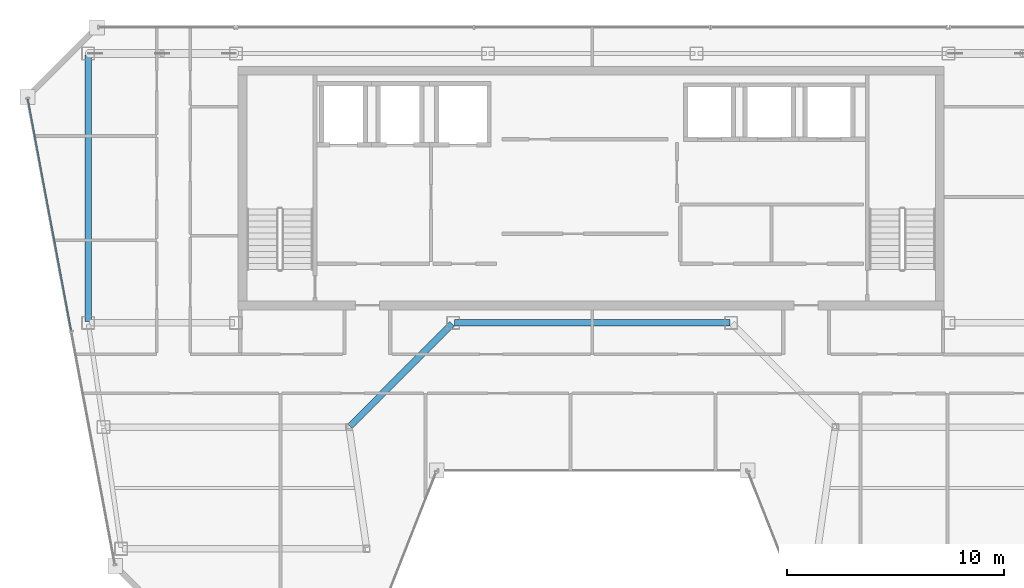
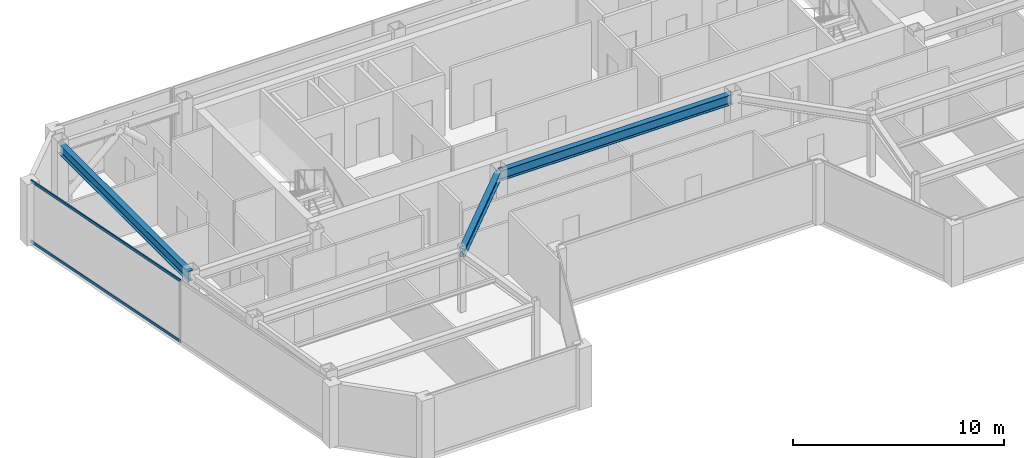
# One storey, part 7 of 23: 3 beams, 2 members, 1 element without a shape of its own.
"""IFC4 building model written with IfcOpenShell, lengths in metres."""

from ifc_helpers import new_model, si_unit, direction, frame, origin, origin_2d, place, context, subcontext, project, spatial, hollow_rectangle, i_section, extrude, material, material_profile, profile_set, type_object, element, aggregate, save


model = new_model("IFC4")

# Units and contexts
model_context = context("Model", 3, precision=1e-05, world=origin(), true_north=direction((0.0, 1.0)))
body_context = subcontext(model_context, "Body", "Model", "MODEL_VIEW")
ifc_project = project(units=[si_unit("LENGTHUNIT", "METRE"), si_unit("AREAUNIT", "SQUARE_METRE"), si_unit("VOLUMEUNIT", "CUBIC_METRE"), si_unit("PLANEANGLEUNIT", "RADIAN"), si_unit("MASSUNIT", "GRAM", prefix="KILO")], contexts=[model_context])

# Site, building, storey
site_placement = place(None, origin())
site = spatial("IfcSite", under=ifc_project, at=site_placement, CompositionType="ELEMENT")
building_placement = place(site_placement, origin())
building = spatial("IfcBuilding", under=site, at=building_placement, Name="Saevonmaru Cultural Tower", CompositionType="ELEMENT")
storey_placement = place(building_placement, frame((0.0, 0.0, 280.0)))
storey = spatial("IfcBuildingStorey", under=building, at=storey_placement, Name="L66", CompositionType="ELEMENT", Elevation=280.0)

# Beams
ifc_material_1 = material(Name="Steel SM355", Category="steel")
ifc_material_profile_1 = material_profile(ifc_material_1, i_section(OverallWidth=0.300048828125, OverallDepth=0.488037109375, WebThickness=0.010986328125, FlangeThickness=0.01806640625, FilletRadius=0.02197265625, at=origin_2d()), Name="H-488x300x11x18")
ifc_profile_set_1 = profile_set([ifc_material_profile_1], Name="Steel SM355")
beam_type_1 = type_object("IfcBeamType", Name="BM-G-H488", PredefinedType="BEAM", material=ifc_profile_set_1)
beam_1_placement = place(storey_placement, frame((18.850341796875, 37.642578125, 3.305908203125), z_axis=(0.706538566564, 0.707674539572, 0.0), x_axis=(-0.707674539572, 0.706538566564, 0.0)))
element("IfcBeam", 1, at=beam_1_placement, inside=storey, type_object=beam_type_1, Name="L66 West Atrium Girder 2", PredefinedType="BEAM", context=body_context, shape_type="SweptSolid", body=[
    extrude(i_section(OverallWidth=0.300048828125, OverallDepth=0.488037109375, WebThickness=0.010986328125, FlangeThickness=0.01806640625, FilletRadius=0.02197265625, at=origin_2d()), origin(), (0.0, 0.0, 1.0), 6.662353515625),
])
ifc_material_profile_2 = material_profile(ifc_material_1, i_section(OverallWidth=0.300048828125, OverallDepth=0.587890625, WebThickness=0.011962890625, FlangeThickness=0.02001953125, FilletRadius=0.02392578125, at=origin_2d()), Name="H-588x300x12x20")
ifc_profile_set_2 = profile_set([ifc_material_profile_2], Name="Steel SM355")
beam_type_2 = type_object("IfcBeamType", Name="BM-G-H588", PredefinedType="BEAM", material=ifc_profile_set_2)
beam_2_placement = place(storey_placement, frame((23.659912109375, 42.39990234375, 3.256103515625), z_axis=(1.0, 0.0, 0.0), x_axis=(0.0, 1.0, 0.0)))
element("IfcBeam", 2, at=beam_2_placement, inside=storey, type_object=beam_type_2, Name="L66 Core South Girder 3", PredefinedType="BEAM", context=body_context, shape_type="SweptSolid", body=[
    extrude(i_section(OverallWidth=0.300048828125, OverallDepth=0.587890625, WebThickness=0.011962890625, FlangeThickness=0.02001953125, FilletRadius=0.02392578125, at=origin_2d()), origin(), (0.0, 0.0, 1.0), 12.68017578125),
])
beam_3_placement = place(storey_placement, frame((6.800048828125, 54.739990234375, 3.256103515625), z_axis=(0.0, -1.0, 0.0), x_axis=(1.0, 0.0, 0.0)))
element("IfcBeam", 3, at=beam_3_placement, inside=storey, type_object=beam_type_2, Name="L66 Spine Transverse Girder W", PredefinedType="BEAM", context=body_context, shape_type="SweptSolid", body=[
    extrude(i_section(OverallWidth=0.300048828125, OverallDepth=0.587890625, WebThickness=0.011962890625, FlangeThickness=0.02001953125, FilletRadius=0.02392578125, at=origin_2d()), origin(), (0.0, 0.0, 1.0), 12.280029296875),
])

# Curtain wall, members
ifc_material_2 = material(Name="Satin Bronze Anodised Aluminium", Category="aluminium")
curtain_wall_type = type_object("IfcCurtainWallType", Name="CW-TYP-B", PredefinedType="NOTDEFINED", material=ifc_material_2)
curtain_wall_placement = place(storey_placement, origin())
curtain_wall = element("IfcCurtainWall", 4, at=curtain_wall_placement, inside=storey, type_object=curtain_wall_type, Name="L66 Unitised Curtain Wall E12", PredefinedType="NOTDEFINED")
ifc_material_profile_3 = material_profile(ifc_material_2, hollow_rectangle(XDim=0.06494140625, YDim=0.14990234375, WallThickness=0.00390625, at=origin_2d()), Name="ALU-TRAN-150x65x4")
ifc_profile_set_3 = profile_set([ifc_material_profile_3], Name="Satin Bronze Anodised Aluminium")
member_type = type_object("IfcMemberType", Name="TR-CW-150x65", PredefinedType="USERDEFINED", material=ifc_profile_set_3)
member_1_placement = place(storey_placement, frame((4.01708984375, 52.708984375, 0.032470703125), z_axis=(0.184029339557, -0.982920750713, 0.0), x_axis=(0.982920750713, 0.184029339557, 0.0)))
member_1 = element("IfcMember", 5, at=member_1_placement, type_object=member_type, Name="CW-TW-L66-E12 transom 1.1", ObjectType="TRANSOM", PredefinedType="USERDEFINED", context=body_context, shape_type="SweptSolid", body=[
    extrude(hollow_rectangle(XDim=0.06494140625, YDim=0.14990234375, WallThickness=0.00390625, at=origin_2d()), origin(), (0.0, 0.0, 1.0), 10.862548828125),
])
member_2_placement = place(storey_placement, frame((4.01708984375, 52.708984375, 3.517578125), z_axis=(0.184029339557, -0.982920750713, 0.0), x_axis=(0.982920750713, 0.184029339557, 0.0)))
member_2 = element("IfcMember", 6, at=member_2_placement, type_object=member_type, Name="CW-TW-L66-E12 transom 1.2", ObjectType="TRANSOM", PredefinedType="USERDEFINED", context=body_context, shape_type="SweptSolid", body=[
    extrude(hollow_rectangle(XDim=0.06494140625, YDim=0.14990234375, WallThickness=0.00390625, at=origin_2d()), origin(), (0.0, 0.0, 1.0), 10.862548828125),
])
aggregate(curtain_wall, [member_1, member_2])

save(model, "model.ifc")
